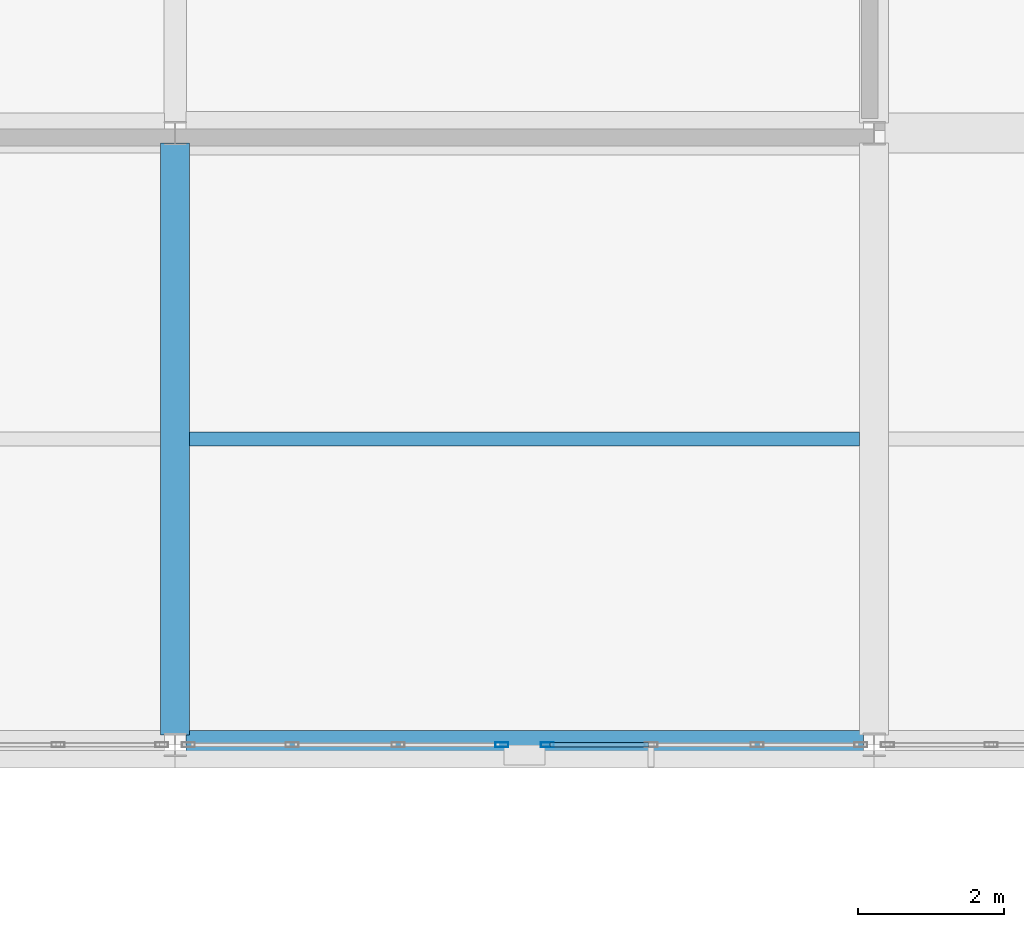
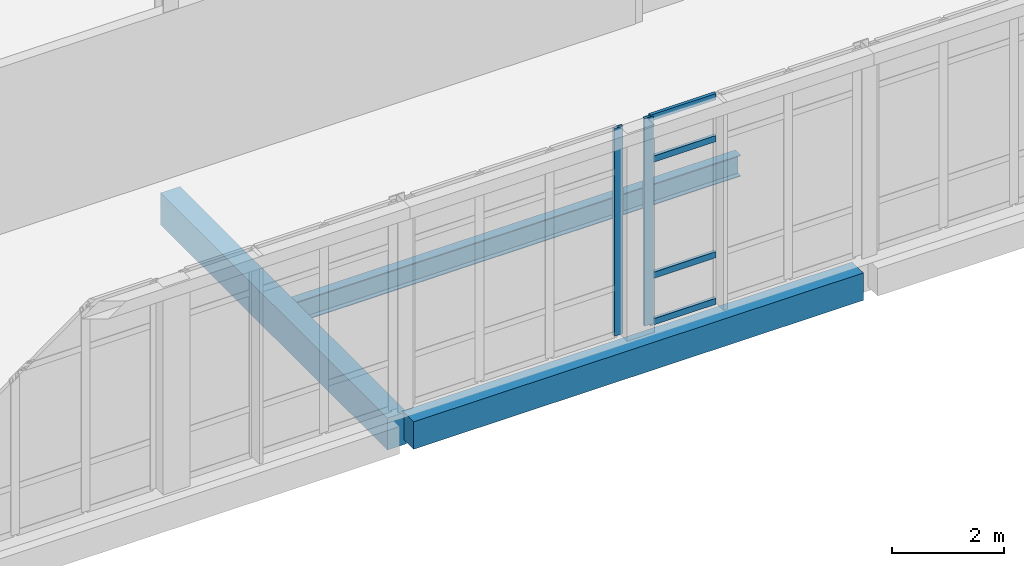
# One storey, part 42 of 88: 6 members, 3 beams, 2 elements without a shape of their own.
"""IFC4 building model written with IfcOpenShell, lengths in metres."""

from ifc_helpers import new_model, si_unit, direction, frame, origin, origin_2d, place, context, subcontext, project, spatial, rectangle, hollow_rectangle, i_section, extrude, material, layer, layer_set, material_profile, profile_set, type_object, element, aggregate, save


model = new_model("IFC4")

# Units and contexts
model_context = context("Model", 3, precision=1e-05, world=origin(), true_north=direction((0.0, 1.0)))
body_context = subcontext(model_context, "Body", "Model", "MODEL_VIEW")
ifc_project = project(units=[si_unit("LENGTHUNIT", "METRE"), si_unit("AREAUNIT", "SQUARE_METRE"), si_unit("VOLUMEUNIT", "CUBIC_METRE"), si_unit("PLANEANGLEUNIT", "RADIAN"), si_unit("MASSUNIT", "GRAM", prefix="KILO")], contexts=[model_context])

# Site, building, storey
site_placement = place(None, origin())
site = spatial("IfcSite", under=ifc_project, at=site_placement, CompositionType="ELEMENT")
building_placement = place(site_placement, origin())
building = spatial("IfcBuilding", under=site, at=building_placement, Name="Lornevale Opera House", CompositionType="ELEMENT")
storey_placement = place(building_placement, frame((0.0, 0.0, 10.199951171875)))
storey = spatial("IfcBuildingStorey", under=building, at=storey_placement, Name="L03", CompositionType="ELEMENT", Elevation=10.199951171875)

# Beams
ifc_material_1 = material(Name="Concrete 35 MPa (CSA A23.1 N)", Category="concrete")
ifc_material_profile_1 = material_profile(ifc_material_1, rectangle(XDim=0.39990234375, YDim=0.699951171875, at=origin_2d()), Name="RC400x700")
ifc_profile_set_1 = profile_set([ifc_material_profile_1], Name="Concrete 35 MPa (CSA A23.1 N)")
beam_type_1 = type_object("IfcBeamType", Name="Concrete Floor Beam 400x700", PredefinedType="USERDEFINED", material=ifc_profile_set_1)
beam_1_placement = place(storey_placement, frame((9.60009765625, 67.33740234375, -0.6298828125), z_axis=(0.0, 1.0, 0.0), x_axis=(-1.0, 0.0, 0.0)))
element("IfcBeam", 1, at=beam_1_placement, inside=storey, type_object=beam_type_1, Name="Concrete Floor Beam 400x700 2235", ObjectType="GIRDER", PredefinedType="USERDEFINED", context=body_context, shape_type="SweptSolid", body=[
    extrude(rectangle(XDim=0.39990234375, YDim=0.699951171875, at=origin_2d()), origin(), (0.0, 0.0, 1.0), 8.125),
])
ifc_material_profile_2 = material_profile(ifc_material_1, rectangle(XDim=0.39990234375, YDim=0.60009765625, at=origin_2d()), Name="RC400x600")
ifc_profile_set_2 = profile_set([ifc_material_profile_2], Name="Concrete 35 MPa (CSA A23.1 N)")
beam_type_2 = type_object("IfcBeamType", Name="Concrete Spandrel Beam 400x600", PredefinedType="SPANDREL", material=ifc_profile_set_2)
beam_2_placement = place(storey_placement, frame((9.7470703125, 67.199951171875, -0.579833984375), z_axis=(1.0, 0.0, 0.0), x_axis=(0.0, 1.0, 0.0)))
element("IfcBeam", 2, at=beam_2_placement, inside=storey, type_object=beam_type_2, Name="Concrete Spandrel Beam 400x600 2165", PredefinedType="SPANDREL", context=body_context, shape_type="SweptSolid", body=[
    extrude(rectangle(XDim=0.39990234375, YDim=0.60009765625, at=origin_2d()), origin(), (0.0, 0.0, 1.0), 9.305908203125),
])

# Curtain wall, member
ifc_material_2 = material(Name="Anodized Oxide-Green Aluminium Framing", Category="aluminium")
ifc_layer = layer(ifc_material_2, 0.175048828125)
ifc_layer_set = layer_set([ifc_layer], Name="Anodized Oxide-Green Aluminium Framing")
curtain_wall_type = type_object("IfcCurtainWallType", Name="Chamber Cloister Curtain Wall M1700", PredefinedType="NOTDEFINED", material=ifc_layer_set)
curtain_wall_1_placement = place(storey_placement, origin())
curtain_wall_1 = element("IfcCurtainWall", 3, at=curtain_wall_1_placement, inside=storey, type_object=curtain_wall_type, Name="Chamber Cloister Curtain Wall M1700 CW-104", PredefinedType="NOTDEFINED")
ifc_material_profile_3 = material_profile(ifc_material_2, hollow_rectangle(XDim=0.06494140625, YDim=0.179931640625, WallThickness=0.0048828125, at=origin_2d()), Name="ALU65x180x5")
ifc_profile_set_3 = profile_set([ifc_material_profile_3], Name="Anodized Oxide-Green Aluminium Framing")
member_type_1 = type_object("IfcMemberType", Name="Curtain Wall Mullion 65x180", PredefinedType="MULLION", material=ifc_profile_set_3)
member_1_placement = place(storey_placement, frame((14.71240234375, 67.199951171875, 0.0), z_axis=(0.0, 0.0, 1.0), x_axis=(0.0, -1.0, 0.0)))
member_1 = element("IfcMember", 4, at=member_1_placement, type_object=member_type_1, Name="Curtain Wall Mullion 65x180 CW2123", PredefinedType="MULLION", context=body_context, shape_type="SweptSolid", body=[
    extrude(hollow_rectangle(XDim=0.06494140625, YDim=0.179931640625, WallThickness=0.0048828125, at=origin_2d()), origin(), (0.0, 0.0, 1.0), 4.5400390625),
])

curtain_wall_2_placement = place(storey_placement, origin())
curtain_wall_2 = element("IfcCurtainWall", 5, at=curtain_wall_2_placement, inside=storey, type_object=curtain_wall_type, Name="Chamber Cloister Curtain Wall M1700 CW-105", PredefinedType="NOTDEFINED")
member_2_placement = place(storey_placement, frame((14.08740234375, 67.199951171875, 0.0), z_axis=(0.0, 0.0, 1.0), x_axis=(0.0, -1.0, 0.0)))
member_2 = element("IfcMember", 6, at=member_2_placement, type_object=member_type_1, Name="Curtain Wall Mullion 65x180 CW2145", PredefinedType="MULLION", context=body_context, shape_type="SweptSolid", body=[
    extrude(hollow_rectangle(XDim=0.06494140625, YDim=0.179931640625, WallThickness=0.0048828125, at=origin_2d()), origin(), (0.0, 0.0, 1.0), 4.5400390625),
])
aggregate(curtain_wall_2, [member_2])

# Member
ifc_material_profile_4 = material_profile(ifc_material_2, hollow_rectangle(XDim=0.06494140625, YDim=0.135009765625, WallThickness=0.00390625, at=origin_2d()), Name="ALU65x135x4")
ifc_profile_set_4 = profile_set([ifc_material_profile_4], Name="Anodized Oxide-Green Aluminium Framing")
member_type_2 = type_object("IfcMemberType", Name="Curtain Wall Transom 65x135", PredefinedType="USERDEFINED", material=ifc_profile_set_4)
member_3_placement = place(storey_placement, frame((16.10400390625, 67.199951171875, 0.032470703125), z_axis=(-1.0, 0.0, 0.0), x_axis=(0.0, -1.0, 0.0)))
member_3 = element("IfcMember", 7, at=member_3_placement, type_object=member_type_2, Name="Curtain Wall Transom 65x135 CW2138", ObjectType="TRANSOM", PredefinedType="USERDEFINED", context=body_context, shape_type="SweptSolid", body=[
    extrude(hollow_rectangle(XDim=0.06494140625, YDim=0.135009765625, WallThickness=0.00390625, at=origin_2d()), origin(), (0.0, 0.0, 1.0), 1.35888671875),
])

member_4_placement = place(storey_placement, frame((16.10400390625, 67.199951171875, 1.050048828125), z_axis=(-1.0, 0.0, 0.0), x_axis=(0.0, -1.0, 0.0)))
member_4 = element("IfcMember", 8, at=member_4_placement, type_object=member_type_2, Name="Curtain Wall Transom 65x135 CW2139", ObjectType="TRANSOM", PredefinedType="USERDEFINED", context=body_context, shape_type="SweptSolid", body=[
    extrude(hollow_rectangle(XDim=0.06494140625, YDim=0.135009765625, WallThickness=0.00390625, at=origin_2d()), origin(), (0.0, 0.0, 1.0), 1.35888671875),
])

member_5_placement = place(storey_placement, frame((16.10400390625, 67.199951171875, 3.590087890625), z_axis=(-1.0, 0.0, 0.0), x_axis=(0.0, -1.0, 0.0)))
member_5 = element("IfcMember", 9, at=member_5_placement, type_object=member_type_2, Name="Curtain Wall Transom 65x135 CW2140", ObjectType="TRANSOM", PredefinedType="USERDEFINED", context=body_context, shape_type="SweptSolid", body=[
    extrude(hollow_rectangle(XDim=0.06494140625, YDim=0.135009765625, WallThickness=0.00390625, at=origin_2d()), origin(), (0.0, 0.0, 1.0), 1.35888671875),
])

member_6_placement = place(storey_placement, frame((16.10400390625, 67.199951171875, 4.507568359375), z_axis=(-1.0, 0.0, 0.0), x_axis=(0.0, -1.0, 0.0)))
member_6 = element("IfcMember", 10, at=member_6_placement, type_object=member_type_2, Name="Curtain Wall Transom 65x135 CW2141", ObjectType="TRANSOM", PredefinedType="USERDEFINED", context=body_context, shape_type="SweptSolid", body=[
    extrude(hollow_rectangle(XDim=0.06494140625, YDim=0.135009765625, WallThickness=0.00390625, at=origin_2d()), origin(), (0.0, 0.0, 1.0), 1.35888671875),
])

aggregate(curtain_wall_1, [member_1, member_3, member_4, member_5, member_6])

# Beam
ifc_material_3 = material(Name="Structural Steel CSA G40.21 Grade 350W (350 MPa)", Category="steel")
ifc_material_profile_5 = material_profile(ifc_material_3, i_section(OverallWidth=0.19189453125, OverallDepth=0.462890625, WebThickness=0.010498046875, FlangeThickness=0.017578125, at=origin_2d()), Name="W460x89")
ifc_profile_set_5 = profile_set([ifc_material_profile_5], Name="Structural Steel CSA G40.21 Grade 350W (350 MPa)")
beam_type_3 = type_object("IfcBeamType", Name="Steel Floor Joist W460x89", PredefinedType="JOIST", material=ifc_profile_set_5)
beam_3_placement = place(storey_placement, frame((9.800048828125, 71.39990234375, -0.5263671875), z_axis=(1.0, 0.0, 0.0), x_axis=(0.0, 1.0, 0.0)))
element("IfcBeam", 11, at=beam_3_placement, inside=storey, type_object=beam_type_3, Name="Steel Floor Joist W460x89 2370", PredefinedType="JOIST", context=body_context, shape_type="SweptSolid", body=[
    extrude(i_section(OverallWidth=0.19189453125, OverallDepth=0.462890625, WebThickness=0.010498046875, FlangeThickness=0.017578125, at=origin_2d()), origin(), (0.0, 0.0, 1.0), 9.199951171875),
])

save(model, "model.ifc")
